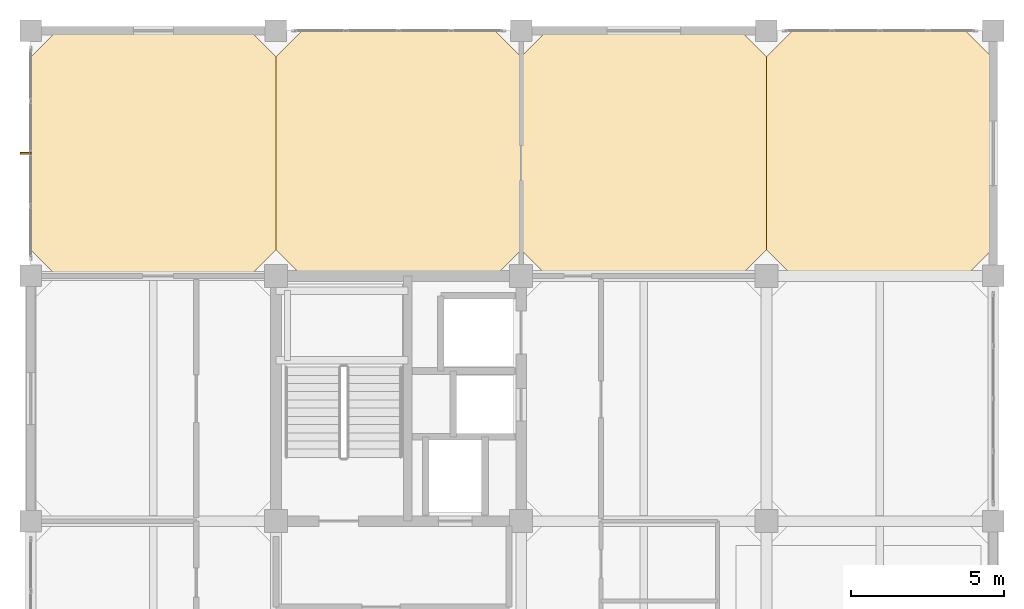
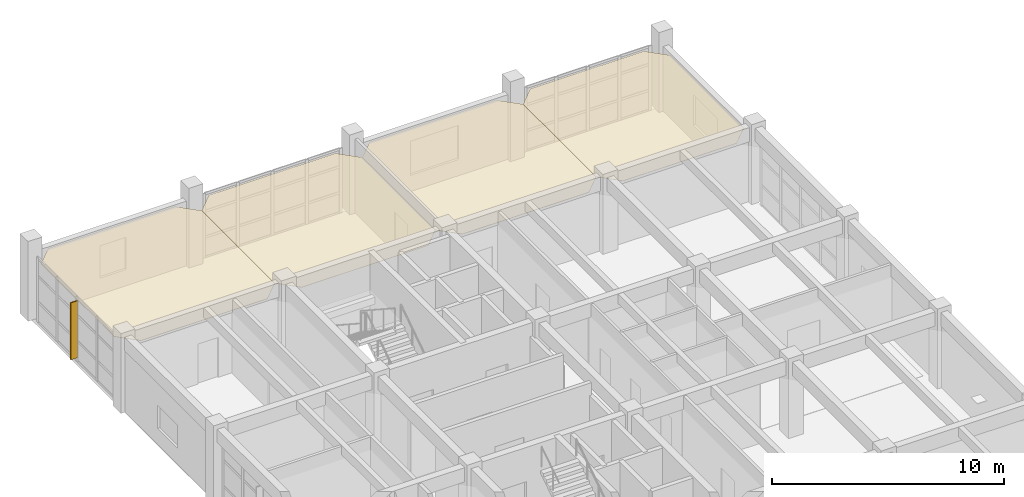
# One storey, part 19 of 19: 4 coverings, 1 shading device.
"""IFC4 building model written with IfcOpenShell, lengths in metres."""

from ifc_helpers import new_model, si_unit, direction, frame, origin, origin_2d, place, context, subcontext, project, spatial, polyline, rectangle, outline, extrude, material, layer, layer_set, type_object, element, save


model = new_model("IFC4")

# Units and contexts
model_context = context("Model", 3, precision=1e-05, world=origin(), true_north=direction((0.0, 1.0)))
body_context = subcontext(model_context, "Body", "Model", "MODEL_VIEW")
ifc_project = project(units=[si_unit("LENGTHUNIT", "METRE"), si_unit("AREAUNIT", "SQUARE_METRE"), si_unit("VOLUMEUNIT", "CUBIC_METRE"), si_unit("PLANEANGLEUNIT", "RADIAN"), si_unit("MASSUNIT", "GRAM", prefix="KILO")], contexts=[model_context])

# Site, building, storey
site_placement = place(None, origin())
site = spatial("IfcSite", under=ifc_project, at=site_placement, CompositionType="ELEMENT")
building_placement = place(site_placement, origin())
building = spatial("IfcBuilding", under=site, at=building_placement, Name="Canggui Botanical Conservatory", CompositionType="ELEMENT")
storey_placement = place(building_placement, frame((0.0, 0.0, 44.39990234375)))
storey = spatial("IfcBuildingStorey", under=building, at=storey_placement, Name="L11", CompositionType="ELEMENT", Elevation=44.39990234375)

# Coverings
ifc_material_1 = material(Name="Mineral Fibre Acoustic Board")
ifc_layer_1 = layer(ifc_material_1, 0.014892578125, Name="Mineral Fibre Acoustic Board")
ifc_layer_set_1 = layer_set([ifc_layer_1], Name="Mineral Fibre Acoustic Board")
covering_type_1 = type_object("IfcCoveringType", Name="COV-CEIL-15", PredefinedType="CEILING", material=ifc_layer_set_1)
covering_1_placement = place(storey_placement, frame((0.0, 0.0, 3.195068359375)))
element("IfcCovering", 1, at=covering_1_placement, inside=storey, type_object=covering_type_1, Name="Suspended Acoustic Ceiling L11-154-66", PredefinedType="CEILING", context=body_context, shape_type="SweptSolid", body=[
    extrude(outline(polyline([(154.85009765625, 66.0), (161.14990234375, 66.0), (162.0, 66.85009765625), (162.0, 73.14990234375), (161.14990234375, 74.0), (154.85009765625, 74.0), (154.0, 73.14990234375), (154.0, 66.85009765625), (154.85009765625, 66.0)])), origin(), (0.0, 0.0, 1.0), 0.01513671875),
])
covering_2_placement = place(storey_placement, frame((0.0, 0.0, 3.195068359375)))
element("IfcCovering", 2, at=covering_2_placement, inside=storey, type_object=covering_type_1, Name="Suspended Acoustic Ceiling L11-170-66", PredefinedType="CEILING", context=body_context, shape_type="SweptSolid", body=[
    extrude(outline(polyline([(170.85009765625, 66.0), (176.5, 66.0), (177.35009765625, 66.85009765625), (177.35009765625, 73.14990234375), (176.5, 74.0), (170.85009765625, 74.0), (170.0, 73.14990234375), (170.0, 66.85009765625), (170.85009765625, 66.0)])), origin(), (0.0, 0.0, 1.0), 0.01513671875),
])
ifc_material_2 = material(Name="Perforated Gypsum Acoustic Panel")
ifc_layer_2 = layer(ifc_material_2, 0.02001953125, Name="Perforated Gypsum Acoustic Panel")
ifc_layer_set_2 = layer_set([ifc_layer_2], Name="Perforated Gypsum Acoustic Panel")
covering_type_2 = type_object("IfcCoveringType", Name="COV-CEIL-20", PredefinedType="CEILING", material=ifc_layer_set_2)
covering_3_placement = place(storey_placement, frame((0.0, 0.0, 3.190185546875)))
element("IfcCovering", 3, at=covering_3_placement, inside=storey, type_object=covering_type_2, Name="Suspended Acoustic Ceiling L11-146-66", PredefinedType="CEILING", context=body_context, shape_type="SweptSolid", body=[
    extrude(outline(polyline([(146.85009765625, 66.0), (153.14990234375, 66.0), (154.0, 66.85009765625), (154.0, 73.14990234375), (153.14990234375, 74.0), (146.85009765625, 74.0), (146.0, 73.14990234375), (146.0, 66.85009765625), (146.85009765625, 66.0)])), origin(), (0.0, 0.0, 1.0), 0.02001953125),
])
covering_4_placement = place(storey_placement, frame((0.0, 0.0, 3.190185546875)))
element("IfcCovering", 4, at=covering_4_placement, inside=storey, type_object=covering_type_2, Name="Suspended Acoustic Ceiling L11-162-66", PredefinedType="CEILING", context=body_context, shape_type="SweptSolid", body=[
    extrude(outline(polyline([(162.85009765625, 66.0), (169.14990234375, 66.0), (170.0, 66.85009765625), (170.0, 73.14990234375), (169.14990234375, 74.0), (162.85009765625, 74.0), (162.0, 73.14990234375), (162.0, 66.85009765625), (162.85009765625, 66.0)])), origin(), (0.0, 0.0, 1.0), 0.02001953125),
])

# Shading device
ifc_material_3 = material(Name="Anodised Aluminium", Category="aluminium")
shading_device_type = type_object("IfcShadingDeviceType", Name="SHD-FIN02", PredefinedType="AWNING", material=ifc_material_3)
shading_device_placement = place(storey_placement, frame((145.8349609375, 70.0, 0.2001953125), z_axis=(0.0, 0.0, 1.0), x_axis=(0.0, 1.0, 0.0)))
element("IfcShadingDevice", 5, at=shading_device_placement, inside=storey, type_object=shading_device_type, Name="Solar Shading Fin CW-TWR-L11-09", PredefinedType="AWNING", context=body_context, shape_type="SweptSolid", body=[
    extrude(rectangle(XDim=0.06005859375, YDim=0.360107421875, at=origin_2d()), origin(), (0.0, 0.0, 1.0), 3.0),
])

save(model, "model.ifc")
